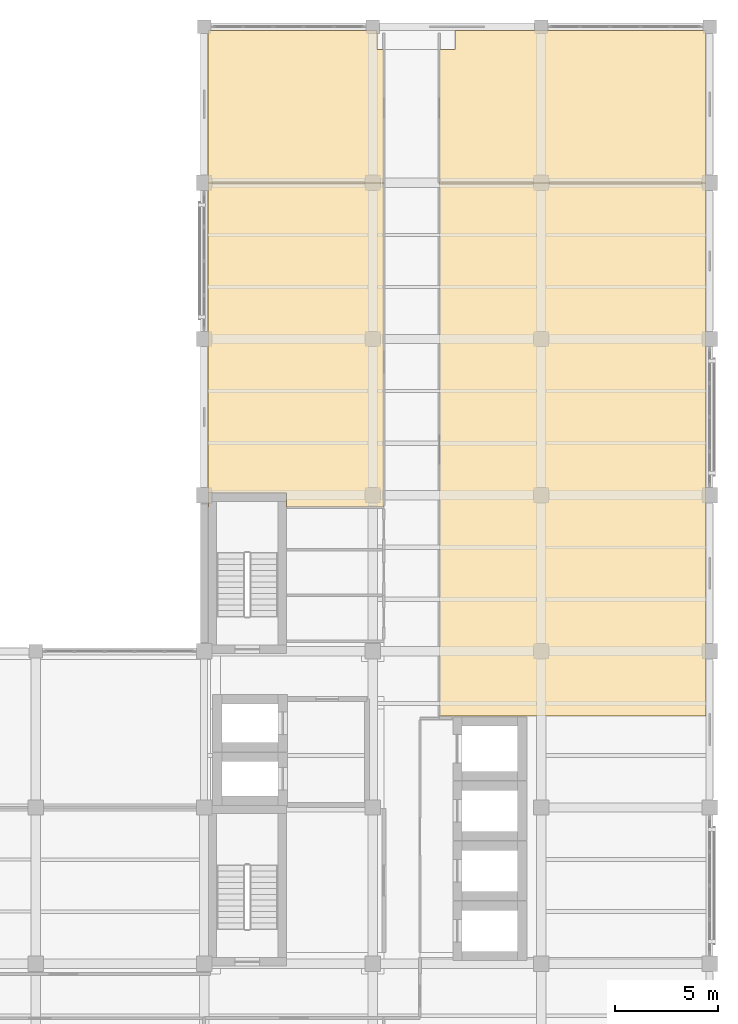
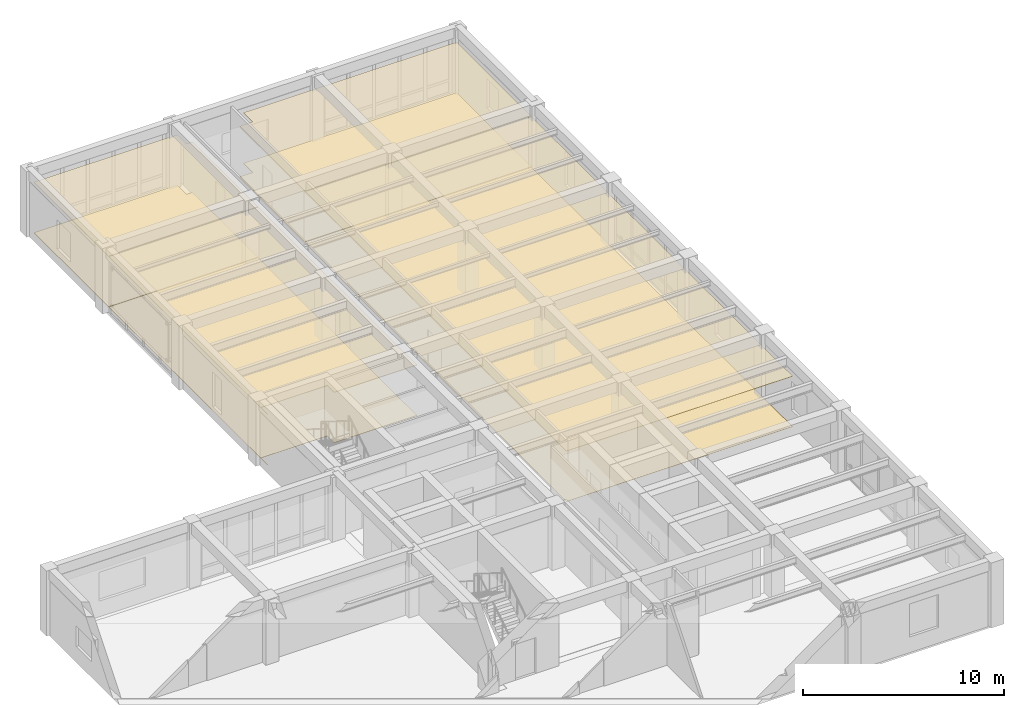
# One storey, part 14 of 14: 8 coverings.
"""IFC4 building model written with IfcOpenShell, lengths in metres."""

from ifc_helpers import new_model, si_unit, direction, frame, origin, place, context, subcontext, project, spatial, polyline, outline, extrude, material, layer, layer_set, type_object, element, save


model = new_model("IFC4")

# Units and contexts
model_context = context("Model", 3, precision=1e-05, world=origin(), true_north=direction((0.0, 1.0)))
body_context = subcontext(model_context, "Body", "Model", "MODEL_VIEW")
ifc_project = project(units=[si_unit("LENGTHUNIT", "METRE"), si_unit("AREAUNIT", "SQUARE_METRE"), si_unit("VOLUMEUNIT", "CUBIC_METRE"), si_unit("PLANEANGLEUNIT", "RADIAN"), si_unit("MASSUNIT", "GRAM", prefix="KILO")], contexts=[model_context])

# Site, building, storey
site_placement = place(None, origin())
site = spatial("IfcSite", under=ifc_project, at=site_placement, CompositionType="ELEMENT")
building_placement = place(site_placement, origin())
building = spatial("IfcBuilding", under=site, at=building_placement, Name="Qandaris Square Conservatory and Botanical Centre", CompositionType="ELEMENT")
storey_placement = place(building_placement, frame((0.0, 0.0, 49.199951171875)))
storey = spatial("IfcBuildingStorey", under=building, at=storey_placement, Name="L11", CompositionType="ELEMENT", Elevation=49.199951171875)

# Coverings
ifc_material_1 = material(Name="Honed Qatari Limestone", Category="masonry")
ifc_layer_1 = layer(ifc_material_1, 0.030029296875)
ifc_layer_set_1 = layer_set([ifc_layer_1], Name="Honed Qatari Limestone")
covering_type_1 = type_object("IfcCoveringType", Name="Honed Qatari Limestone Concourse Paving", PredefinedType="FLOORING", material=ifc_layer_set_1)
covering_1_placement = place(storey_placement, origin())
element("IfcCovering", 1, at=covering_1_placement, inside=storey, type_object=covering_type_1, Name="Remote Sensing GIS Collaborative Seminar Room Flooring", PredefinedType="FLOORING", context=body_context, shape_type="SweptSolid", body=[
    extrude(outline(polyline([(147.949951171875, 62.199951171875), (139.3798828125, 62.199951171875), (139.3798828125, 69.6201171875), (147.60009765625, 69.6201171875), (147.60009765625, 68.699951171875), (147.949951171875, 68.699951171875), (147.949951171875, 62.199951171875)])), origin(), (0.0, 0.0, 1.0), 0.030029296875),
])
covering_2_placement = place(storey_placement, origin())
element("IfcCovering", 2, at=covering_2_placement, inside=storey, type_object=covering_type_1, Name="Floor L11 Staff Write-Up Lounge Flooring", PredefinedType="FLOORING", context=body_context, shape_type="SweptSolid", body=[
    extrude(outline(polyline([(150.64990234375, 62.199951171875), (150.64990234375, 68.699951171875), (151.39990234375, 68.699951171875), (151.39990234375, 69.6201171875), (163.6201171875, 69.6201171875), (163.6201171875, 62.199951171875), (150.64990234375, 62.199951171875)])), origin(), (0.0, 0.0, 1.0), 0.030029296875),
])
ifc_material_2 = material(Name="Gypsum Plasterboard", Category="gypsum")
ifc_layer_2 = layer(ifc_material_2, 0.02490234375)
ifc_layer_set_2 = layer_set([ifc_layer_2], Name="Gypsum Plasterboard")
covering_type_2 = type_object("IfcCoveringType", Name="Perforated Acoustic Lab Ceiling Tile", PredefinedType="CEILING", material=ifc_layer_set_2)
covering_3_placement = place(storey_placement, frame((0.0, 0.0, 3.050048828125)))
element("IfcCovering", 3, at=covering_3_placement, inside=storey, type_object=covering_type_2, Name="Desert Lichenology Analytical Laboratory Ceiling", PredefinedType="CEILING", context=body_context, shape_type="SweptSolid", body=[
    extrude(outline(polyline([(150.64990234375, 62.199951171875), (163.6201171875, 62.199951171875), (163.6201171875, 36.25), (150.64990234375, 36.25), (150.64990234375, 62.199951171875)])), origin(), (0.0, 0.0, 1.0), 0.02490234375),
])
covering_4_placement = place(storey_placement, frame((0.0, 0.0, 3.050048828125)))
element("IfcCovering", 4, at=covering_4_placement, inside=storey, type_object=covering_type_2, Name="Carbon Flux Specimen Prep Room Ceiling", PredefinedType="CEILING", context=body_context, shape_type="SweptSolid", body=[
    extrude(outline(polyline([(147.949951171875, 46.419921875), (143.199951171875, 46.419921875), (143.199951171875, 47.10009765625), (139.39990234375, 47.10009765625), (139.39990234375, 46.419921875), (139.3798828125, 46.419921875), (139.3798828125, 62.199951171875), (147.949951171875, 62.199951171875), (147.949951171875, 46.419921875)])), origin(), (0.0, 0.0, 1.0), 0.02490234375),
])
ifc_material_3 = material(Name="Epoxy Resin Screed", Category="finish")
ifc_layer_3 = layer(ifc_material_3, 0.014892578125)
ifc_layer_set_3 = layer_set([ifc_layer_3], Name="Epoxy Resin Screed")
covering_type_3 = type_object("IfcCoveringType", Name="Seamless Epoxy Laboratory Flooring", PredefinedType="FLOORING", material=ifc_layer_set_3)
covering_5_placement = place(storey_placement, origin())
element("IfcCovering", 5, at=covering_5_placement, inside=storey, type_object=covering_type_3, Name="Desert Lichenology Analytical Laboratory Flooring", PredefinedType="FLOORING", context=body_context, shape_type="SweptSolid", body=[
    extrude(outline(polyline([(150.64990234375, 62.199951171875), (163.6201171875, 62.199951171875), (163.6201171875, 36.25), (150.64990234375, 36.25), (150.64990234375, 62.199951171875)])), origin(), (0.0, 0.0, 1.0), 0.01513671875),
])
covering_6_placement = place(storey_placement, origin())
element("IfcCovering", 6, at=covering_6_placement, inside=storey, type_object=covering_type_3, Name="Carbon Flux Specimen Prep Room Flooring", PredefinedType="FLOORING", context=body_context, shape_type="SweptSolid", body=[
    extrude(outline(polyline([(147.949951171875, 46.419921875), (143.199951171875, 46.419921875), (143.199951171875, 47.10009765625), (139.39990234375, 47.10009765625), (139.39990234375, 46.419921875), (139.3798828125, 46.419921875), (139.3798828125, 62.199951171875), (147.949951171875, 62.199951171875), (147.949951171875, 46.419921875)])), origin(), (0.0, 0.0, 1.0), 0.01513671875),
])
ifc_material_4 = material(Name="Engineered Oak Timber", Category="wood")
ifc_layer_4 = layer(ifc_material_4, 0.0400390625)
ifc_layer_set_4 = layer_set([ifc_layer_4], Name="Engineered Oak Timber")
covering_type_4 = type_object("IfcCoveringType", Name="Slatted Oak Acoustic Gallery Ceiling", PredefinedType="CEILING", material=ifc_layer_set_4)
covering_7_placement = place(storey_placement, frame((0.0, 0.0, 3.050048828125)))
element("IfcCovering", 7, at=covering_7_placement, inside=storey, type_object=covering_type_4, Name="Remote Sensing GIS Collaborative Seminar Room Ceiling", PredefinedType="CEILING", context=body_context, shape_type="SweptSolid", body=[
    extrude(outline(polyline([(147.949951171875, 62.199951171875), (139.3798828125, 62.199951171875), (139.3798828125, 69.6201171875), (147.60009765625, 69.6201171875), (147.60009765625, 68.699951171875), (147.949951171875, 68.699951171875), (147.949951171875, 62.199951171875)])), origin(), (0.0, 0.0, 1.0), 0.0400390625),
])
covering_8_placement = place(storey_placement, frame((0.0, 0.0, 3.050048828125)))
element("IfcCovering", 8, at=covering_8_placement, inside=storey, type_object=covering_type_4, Name="Floor L11 Staff Write-Up Lounge Ceiling", PredefinedType="CEILING", context=body_context, shape_type="SweptSolid", body=[
    extrude(outline(polyline([(150.64990234375, 62.199951171875), (150.64990234375, 68.699951171875), (151.39990234375, 68.699951171875), (151.39990234375, 69.6201171875), (163.6201171875, 69.6201171875), (163.6201171875, 62.199951171875), (150.64990234375, 62.199951171875)])), origin(), (0.0, 0.0, 1.0), 0.0400390625),
])

save(model, "model.ifc")
